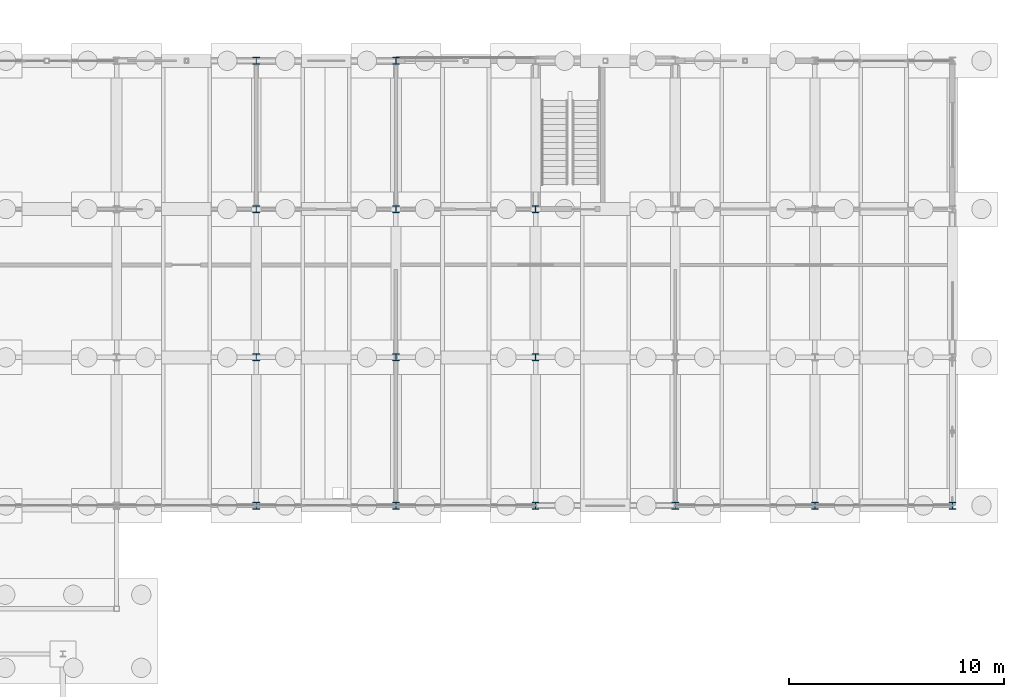
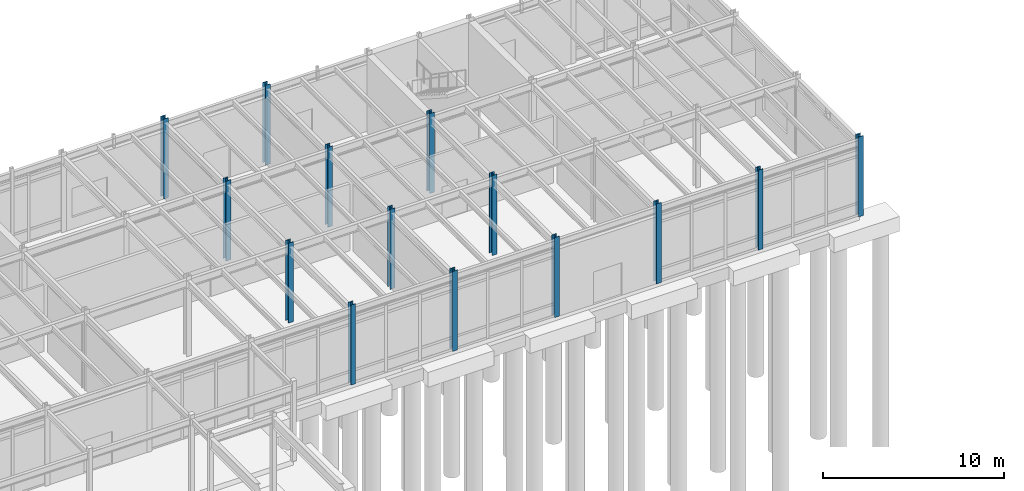
# One storey, part 27 of 82: 14 columns.
"""IFC4 building model written with IfcOpenShell, lengths in metres."""

from ifc_helpers import new_model, si_unit, direction, frame, origin, origin_2d, place, context, subcontext, project, spatial, i_section, extrude, material, material_profile, profile_set, type_object, element, save


model = new_model("IFC4")

# Units and contexts
model_context = context("Model", 3, precision=1e-05, world=origin(), true_north=direction((0.0, 1.0)))
body_context = subcontext(model_context, "Body", "Model", "MODEL_VIEW")
ifc_project = project(units=[si_unit("LENGTHUNIT", "METRE"), si_unit("AREAUNIT", "SQUARE_METRE"), si_unit("VOLUMEUNIT", "CUBIC_METRE"), si_unit("PLANEANGLEUNIT", "RADIAN"), si_unit("MASSUNIT", "GRAM", prefix="KILO")], contexts=[model_context])

# Site, building, storey
site_placement = place(None, origin())
site = spatial("IfcSite", under=ifc_project, at=site_placement, CompositionType="ELEMENT")
building_placement = place(site_placement, origin())
building = spatial("IfcBuilding", under=site, at=building_placement, Name="Trelmorton Wharf Fire Station", CompositionType="ELEMENT")
storey_placement = place(building_placement, origin())
storey = spatial("IfcBuildingStorey", under=building, at=storey_placement, Name="L00", CompositionType="ELEMENT", Elevation=0.0)

# Columns
ifc_material = material(Name="Steel Grade 350", Category="steel")
ifc_material_profile = material_profile(ifc_material, i_section(OverallWidth=0.31103515625, OverallDepth=0.326904296875, WebThickness=0.015625, FlangeThickness=0.02490234375, FilletRadius=0.0166015625, at=origin_2d()), Name="310UC158")
ifc_profile_set = profile_set([ifc_material_profile], Name="Steel Grade 350")
column_type = type_object("IfcColumnType", Name="COL_310UC158", PredefinedType="COLUMN", material=ifc_profile_set)
for number, where, z_axis, x_axis, name in (
    (1, (130.0, 60.300048828125, 0.0), (0.0, 0.0, 1.0), (1.0, 0.0, 0.0), "COL-L00-0197"),
    (2, (130.0, 67.199951171875, 0.0), (0.0, 0.0, 1.0), (1.0, 0.0, 0.0), "COL-L00-0198"),
    (3, (130.0, 74.10009765625, 0.0), (0.0, 0.0, 1.0), (1.0, 0.0, 0.0), "COL-L00-0199"),
    (4, (130.0, 81.0, 0.0), (0.0, 0.0, 1.0), (1.0, 0.0, 0.0), "COL-L00-0200"),
    (5, (136.5, 60.300048828125, 0.0), (0.0, 0.0, 1.0), (1.0, 0.0, 0.0), "COL-L00-0206"),
    (6, (136.5, 67.199951171875, 0.0), (0.0, 0.0, 1.0), (1.0, 0.0, 0.0), "COL-L00-0207"),
    (7, (136.5, 74.10009765625, 0.0), (0.0, 0.0, 1.0), (1.0, 0.0, 0.0), "COL-L00-0208"),
    (8, (136.5, 81.0, 0.0), (0.0, 0.0, 1.0), (1.0, 0.0, 0.0), "COL-L00-0209"),
    (9, (143.0, 60.300048828125, 0.0), (0.0, 0.0, 1.0), (1.0, 0.0, 0.0), "COL-L00-0215"),
    (10, (143.0, 67.199951171875, 0.0), (0.0, 0.0, 1.0), (1.0, 0.0, 0.0), "COL-L00-0216"),
    (11, (143.0, 74.10009765625, 0.0), (0.0, 0.0, 1.0), (1.0, 0.0, 0.0), "COL-L00-0217"),
    (12, (149.5, 60.300048828125, 0.0), (0.0, 0.0, 1.0), (1.0, 0.0, 0.0), "COL-L00-0224"),
    (13, (156.0, 60.300048828125, 0.0), (0.0, 0.0, 1.0), (1.0, 0.0, 0.0), "COL-L00-0233"),
    (14, (162.39990234375, 60.300048828125, 0.0), (0.0, 0.0, 1.0), (1.0, 0.0, 0.0), "COL-L00-0242"),
):
    element("IfcColumn", number, at=place(storey_placement, frame(where, z_axis=z_axis, x_axis=x_axis)), inside=storey, type_object=column_type, Name=name, PredefinedType="COLUMN", context=body_context, shape_type="SweptSolid", body=[
        extrude(i_section(OverallWidth=0.31103515625, OverallDepth=0.326904296875, WebThickness=0.015625, FlangeThickness=0.02490234375, FilletRadius=0.0166015625, at=origin_2d()), origin(), (0.0, 0.0, 1.0), 5.39990234375),
    ])

save(model, "model.ifc")
